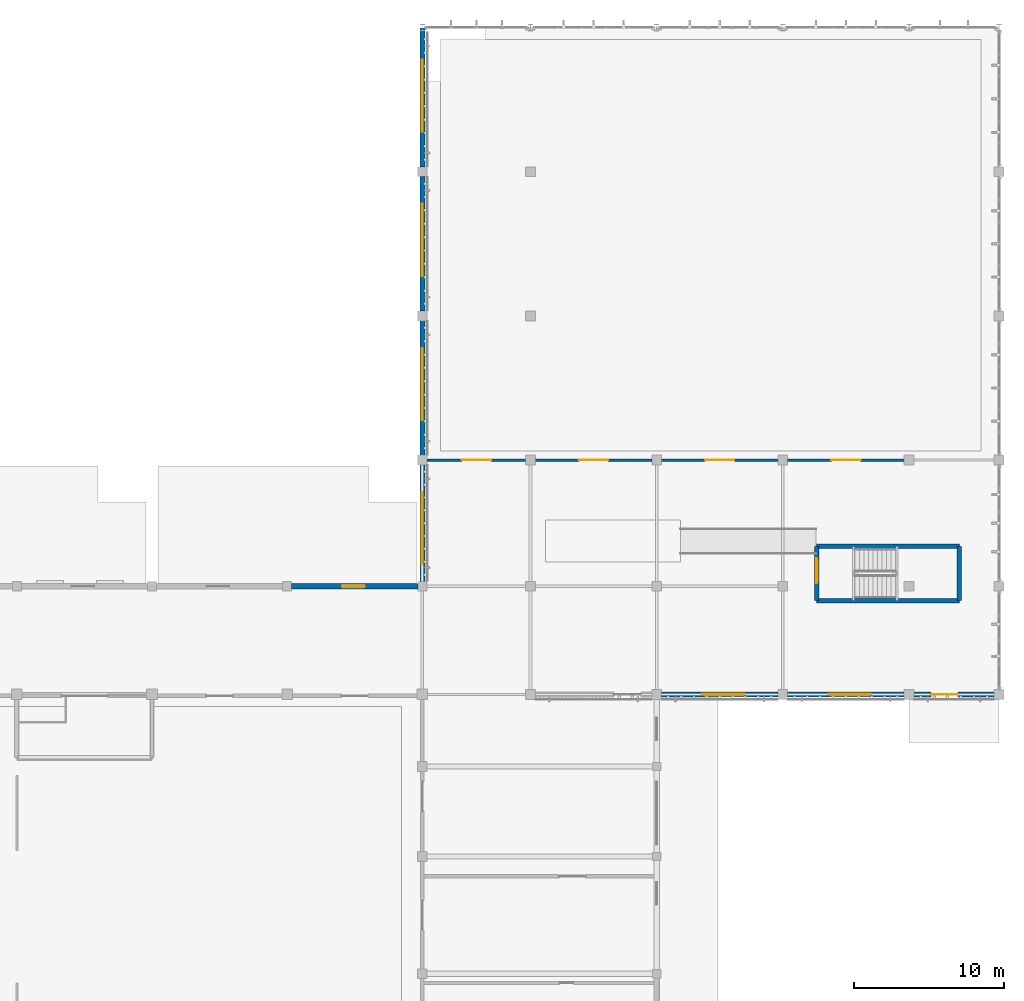
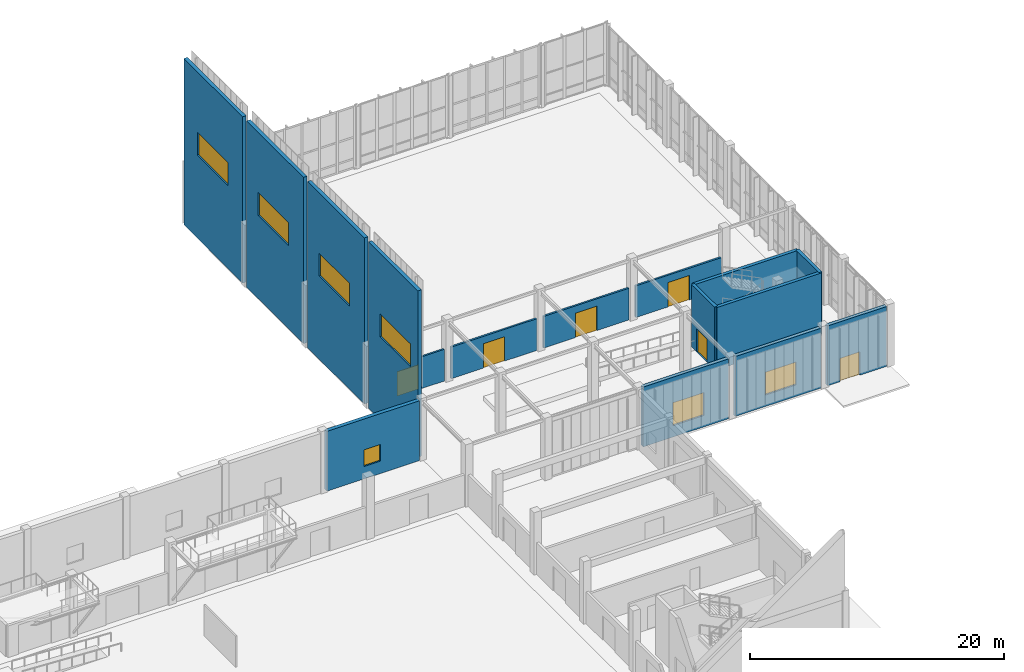
# One storey, part 83 of 110: 16 walls, 7 windows, 6 doors, 13 openings.
"""IFC4 building model written with IfcOpenShell, lengths in metres."""

import ifcopenshell
import ifcopenshell.guid

model = None  # the IFC model being written
_history = None  # IfcOwnerHistory: only IFC2X3 demands one
_inside = {}  # id of a spatial element -> (the spatial element, [elements in it])
_under = {}  # id of a project, library or spatial element -> (it, [spatial elements below it])
_declared = {}  # id of a project -> (the project, [libraries it declares])
_typed = {}  # id of a type object -> (the type object, [elements of that type])
_made_of = {}  # id of a material, layer set ... -> (it, [elements and type objects made of it])


def new_model(schema):
    """Start an empty IFC model of exactly this schema.

    Asked for "IFC4X3", IfcOpenShell would pick the latest addendum, in which some entities
    have other attributes; the version numbers below select the first issue.
    IFC2X3 requires an IfcOwnerHistory on every rooted entity: one is made here for all.
    """
    global model, _history
    if schema == "IFC4X3":
        model = ifcopenshell.file(schema_version=(4, 3, 0, 0))
    else:
        model = ifcopenshell.file(schema=schema)
    _inside.clear()
    _under.clear()
    _declared.clear()
    _typed.clear()
    _made_of.clear()
    _history = None
    if model.schema == "IFC2X3":
        org = make("IfcOrganization", Name="unknown")
        user = make(
            "IfcPersonAndOrganization",
            ThePerson=make("IfcPerson", FamilyName="unknown"),
            TheOrganization=org,
        )
        app = make(
            "IfcApplication",
            ApplicationDeveloper=org,
            Version="unknown",
            ApplicationFullName="unknown",
            ApplicationIdentifier="unknown",
        )
        _history = make(
            "IfcOwnerHistory",
            OwningUser=user,
            OwningApplication=app,
            ChangeAction="ADDED",
            CreationDate=0,
        )
    return model


def make(cls, **values):
    """One entity of the class cls with the attributes given. An attribute that is None is left unset."""
    return model.create_entity(
        cls, **{name: value for name, value in values.items() if value is not None}
    )


def rooted(cls, **values):
    """An entity with a GlobalId (a new one), such as an element, a storey or a relation."""
    return make(cls, GlobalId=ifcopenshell.guid.new(), OwnerHistory=_history, **values)


def si_unit(unit_type, name, prefix=None):
    """IfcSIUnit, for example si_unit("LENGTHUNIT", "METRE", prefix="MILLI")."""
    return make("IfcSIUnit", UnitType=unit_type, Prefix=prefix, Name=name)


def assignment(units):
    """IfcUnitAssignment: the units of a project."""
    return None if units is None else make("IfcUnitAssignment", Units=units)


def point(xyz):
    """IfcCartesianPoint."""
    return None if xyz is None else make("IfcCartesianPoint", Coordinates=xyz)


def direction(xyz):
    """IfcDirection."""
    return None if xyz is None else make("IfcDirection", DirectionRatios=xyz)


def frame(location, z_axis=None, x_axis=None):
    """IfcAxis2Placement3D, a coordinate frame: its origin and axes. An axis left out is left unset."""
    return make(
        "IfcAxis2Placement3D",
        Location=point(location),
        Axis=direction(z_axis),
        RefDirection=direction(x_axis),
    )


def frame_2d(location, x_axis=None):
    """IfcAxis2Placement2D, a coordinate frame in the plane: its origin and x axis."""
    return make(
        "IfcAxis2Placement2D", Location=point(location), RefDirection=direction(x_axis)
    )


def origin():
    """The frame at (0, 0, 0) with its axes left unset."""
    return frame((0.0, 0.0, 0.0))


def place(relative_to, where):
    """IfcLocalPlacement: puts the frame where relative to a parent placement (None: the world)."""
    return make(
        "IfcLocalPlacement", PlacementRelTo=relative_to, RelativePlacement=where
    )


def context(
    kind, dimensions, precision=None, world=None, true_north=None, identifier=None
):
    """IfcGeometricRepresentationContext, for example the 3D "Model" context."""
    return make(
        "IfcGeometricRepresentationContext",
        ContextIdentifier=identifier,
        ContextType=kind,
        CoordinateSpaceDimension=dimensions,
        Precision=precision,
        WorldCoordinateSystem=world,
        TrueNorth=true_north,
    )


def subcontext(parent, identifier, kind, view, scale=None):
    """IfcGeometricRepresentationSubContext, for example "Body" below "Model"."""
    return make(
        "IfcGeometricRepresentationSubContext",
        ContextIdentifier=identifier,
        ContextType=kind,
        ParentContext=parent,
        TargetScale=scale,
        TargetView=view,
    )


def project(units=None, contexts=None):
    """IfcProject with its units and contexts."""
    return rooted(
        "IfcProject",
        Name="project",
        RepresentationContexts=contexts,
        UnitsInContext=assignment(units),
    )


def spatial(cls, under=None, at=None, **own):
    """A site, building, storey or space (cls), placed at a placement, below another one or the project."""
    s = rooted(cls, ObjectPlacement=at, **own)
    if under is not None:
        _under.setdefault(under.id(), (under, []))[1].append(s)
    return s


def profile(cls, at=None, kind="AREA", **sizes):
    """A parametric profile (cls). Its sizes go by their IFC names, for example OverallWidth=200.0."""
    return make(cls, ProfileType=kind, Position=at, **sizes)


def rectangle(**sizes):
    """IfcRectangleProfileDef."""
    return profile("IfcRectangleProfileDef", **sizes)


def extrude(swept, where, along, depth):
    """IfcExtrudedAreaSolid: the profile swept, set in the frame where, extruded along a direction by depth."""
    return make(
        "IfcExtrudedAreaSolid",
        SweptArea=swept,
        Position=where,
        ExtrudedDirection=direction(along),
        Depth=depth,
    )


def shape(context_of_items, identifier, shape_type, items):
    """IfcShapeRepresentation: the items that make up one representation, for example the "Body"."""
    return make(
        "IfcShapeRepresentation",
        ContextOfItems=context_of_items,
        RepresentationIdentifier=identifier,
        RepresentationType=shape_type,
        Items=items,
    )


def material(Name=None, Category=None):
    """IfcMaterial."""
    return make("IfcMaterial", Name=Name, Category=Category)


def layer(
    of_material, thickness, ventilated=None, Name=None, Category=None, Priority=None
):
    """IfcMaterialLayer: one layer of a wall or slab, of a material (None: an air gap)."""
    return make(
        "IfcMaterialLayer",
        Material=of_material,
        LayerThickness=thickness,
        IsVentilated=ventilated,
        Name=Name,
        Category=Category,
        Priority=Priority,
    )


def layer_set(layers, Name=None):
    """IfcMaterialLayerSet."""
    return make("IfcMaterialLayerSet", MaterialLayers=layers, LayerSetName=Name)


def made_of(thing, what):
    """Note that an element or type object is made of a material, layer set ...; save() writes the relation."""
    if what is not None:
        _made_of.setdefault(what.id(), (what, []))[1].append(thing)
    return thing


def type_object(cls, material=None, **own):
    """A type object (cls), such as IfcWallType, which elements share."""
    return made_of(rooted(cls, **own), material)


def element(
    cls,
    number,
    at=None,
    inside=None,
    cuts=None,
    type_object=None,
    material=None,
    context=None,
    identifier="Body",
    shape_type=None,
    held_by="IfcProductDefinitionShape",
    body=None,
    shapes=None,
    **own,
):
    """One element of the class cls, such as IfcWall. Its Tag is "e" and its number.

    at: its placement. inside: the storey or other place that contains it. cuts: it is an
    opening in that element (IfcRelVoidsElement). A single representation is given by context,
    identifier, shape_type and body (its items); several are given by shapes. held_by: the class
    of the entity that holds the representations. save() writes the other relations.
    """
    e = rooted(cls, Tag="e%d" % number, ObjectPlacement=at, **own)
    if body is not None:
        shapes = [shape(context, identifier, shape_type, body)]
    if shapes is not None:
        e.Representation = make(held_by, Representations=shapes)
    if inside is not None:
        _inside.setdefault(inside.id(), (inside, []))[1].append(e)
    if cuts is not None:
        rooted(
            "IfcRelVoidsElement", RelatingBuildingElement=cuts, RelatedOpeningElement=e
        )
    if type_object is not None:
        _typed.setdefault(type_object.id(), (type_object, []))[1].append(e)
    return made_of(e, material)


def fill(opening, filler):
    """IfcRelFillsElement: the door or window that sits in an opening."""
    return rooted(
        "IfcRelFillsElement",
        RelatingOpeningElement=opening,
        RelatedBuildingElement=filler,
    )


def aggregate(whole, parts):
    """IfcRelAggregates: a whole, such as a stair, and the parts it consists of."""
    return rooted("IfcRelAggregates", RelatingObject=whole, RelatedObjects=parts)


def save(model, path):
    """Write the relations noted so far, then the file.

    IfcRelAggregates (storeys below a building ...), IfcRelContainedInSpatialStructure (elements
    in a storey), IfcRelDefinesByType, IfcRelAssociatesMaterial and IfcRelDeclares: one each for
    every whole, place, type object, material and project.
    """
    for whole, parts in _under.values():
        aggregate(whole, parts)
    for where, things in _inside.values():
        rooted(
            "IfcRelContainedInSpatialStructure",
            RelatedElements=things,
            RelatingStructure=where,
        )
    for kind, things in _typed.values():
        rooted("IfcRelDefinesByType", RelatedObjects=things, RelatingType=kind)
    for what, things in _made_of.values():
        rooted("IfcRelAssociatesMaterial", RelatedObjects=things, RelatingMaterial=what)
    for by, libraries in _declared.values():
        rooted("IfcRelDeclares", RelatingContext=by, RelatedDefinitions=libraries)
    model.write(path)


model = new_model("IFC4")

# Units and contexts
model_context = context("Model", 3, precision=1e-05, world=origin(), true_north=direction((0.0, 1.0)))
body_context = subcontext(model_context, "Body", "Model", "MODEL_VIEW")
ifc_project = project(units=[si_unit("LENGTHUNIT", "METRE"), si_unit("AREAUNIT", "SQUARE_METRE"), si_unit("VOLUMEUNIT", "CUBIC_METRE"), si_unit("PLANEANGLEUNIT", "RADIAN"), si_unit("MASSUNIT", "GRAM", prefix="KILO")], contexts=[model_context])

# Site, building, storey
site_placement = place(None, origin())
site = spatial("IfcSite", under=ifc_project, at=site_placement, CompositionType="ELEMENT")
building_placement = place(site_placement, origin())
building = spatial("IfcBuilding", under=site, at=building_placement, Name="Tizgana Railside Sports Hall", CompositionType="ELEMENT")
storey_placement = place(building_placement, origin())
storey = spatial("IfcBuildingStorey", under=building, at=storey_placement, Name="L00", CompositionType="ELEMENT", Elevation=0.0)

# Walls
ifc_material_1 = material(Name="Concrete C40/50", Category="concrete")
ifc_layer_1 = layer(ifc_material_1, 0.300048828125, Name="Concrete C40/50")
ifc_layer_set_1 = layer_set([ifc_layer_1], Name="Concrete C40/50")
wall_type_1 = type_object("IfcWallType", Name="Core Shear Wall 300", PredefinedType="SHEAR", material=ifc_layer_set_1)
for number, where, z_axis, x_axis, name in (
    (1, (169.550048828125, 79.449951171875, 0.0), (0.0, 0.0, 1.0), (-1.0, 0.0, 0.0), "L00 C9 Shaft Wall S"),
    (2, (160.050048828125, 83.050048828125, 0.0), (0.0, 0.0, 1.0), (1.0, 0.0, 0.0), "L00 C9 Shaft Wall N"),
):
    element("IfcWall", number, at=place(storey_placement, frame(where, z_axis=z_axis, x_axis=x_axis)), inside=storey, type_object=wall_type_1, Name=name, PredefinedType="SHEAR", context=body_context, shape_type="SweptSolid", body=[
        extrude(rectangle(XDim=9.5, YDim=0.300048828125, at=frame_2d((4.75, 0.0))), origin(), (0.0, 0.0, 1.0), 6.0),
    ])

# Wall, opening, door
wall_1_placement = place(storey_placement, frame((160.050048828125, 79.449951171875, 0.0), z_axis=(0.0, 0.0, 1.0), x_axis=(0.0, 1.0, 0.0)))
wall_1 = element("IfcWall", 3, at=wall_1_placement, inside=storey, type_object=wall_type_1, Name="L00 C9 Shaft Wall W", PredefinedType="SHEAR", context=body_context, shape_type="SweptSolid", body=[
    extrude(rectangle(XDim=3.60009765625, YDim=0.300048828125, at=frame_2d((1.800048828125, 0.0))), origin(), (0.0, 0.0, 1.0), 6.0),
])
opening_1_placement = place(wall_1_placement, frame((1.14990234375, 0.0, 0.0)))
opening_1 = element("IfcOpeningElement", 4, at=opening_1_placement, cuts=wall_1, Name="Opening D-0097", PredefinedType="OPENING", context=body_context, shape_type="SweptSolid", body=[
    extrude(rectangle(XDim=1.64990234375, YDim=2.199951171875, at=frame_2d((0.824951171875, 1.10009765625))), frame((0.0, 0.159912109375, 0.0), z_axis=(0.0, -1.0, 0.0), x_axis=(1.0, 0.0, 0.0)), (0.0, 0.0, 1.0), 0.320068359375),
])
ifc_material_2 = material(Name="Timber fire leaf", Category="wood")
door_type_1 = type_object("IfcDoorType", Name="Stair Core Double Fire Door 1650x2200", OperationType="NOTDEFINED", PredefinedType="DOOR", material=ifc_material_2)
door_1_placement = place(opening_1_placement, origin())
door_1 = element("IfcDoor", 5, at=door_1_placement, inside=storey, type_object=door_type_1, Name="L00 Door D-0097", OperationType="DOUBLE_DOOR_SINGLE_SWING", OverallHeight=2.199951171875, OverallWidth=1.64990234375, PredefinedType="DOOR", context=body_context, shape_type="SweptSolid", body=[
    extrude(rectangle(XDim=1.64990234375, YDim=2.199951171875, at=frame_2d((0.824951171875, 1.10009765625))), frame((0.0, 0.02490234375, 0.0), z_axis=(0.0, -1.0, 0.0), x_axis=(1.0, 0.0, 0.0)), (0.0, 0.0, 1.0), 0.050048828125),
])
fill(opening_1, door_1)

# Wall
wall_2_placement = place(storey_placement, frame((169.550048828125, 79.449951171875, 0.0), z_axis=(0.0, 0.0, 1.0), x_axis=(0.0, 1.0, 0.0)))
element("IfcWall", 6, at=wall_2_placement, inside=storey, type_object=wall_type_1, Name="L00 C9 Shaft Wall E", PredefinedType="SHEAR", context=body_context, shape_type="SweptSolid", body=[
    extrude(rectangle(XDim=3.60009765625, YDim=0.300048828125, at=frame_2d((1.800048828125, 0.0))), origin(), (0.0, 0.0, 1.0), 6.0),
])

# Wall, opening, window
ifc_material_3 = material(Name="Concrete C35/45", Category="concrete")
ifc_layer_2 = layer(ifc_material_3, 0.340087890625, Name="Concrete C35/45")
ifc_layer_set_2 = layer_set([ifc_layer_2], Name="Concrete C35/45")
wall_type_2 = type_object("IfcWallType", Name="Exterior Insulated Concrete Wall 340", PredefinedType="STANDARD", material=ifc_layer_set_2)
wall_3_placement = place(storey_placement, frame((125.090087890625, 80.39990234375, 0.0), z_axis=(0.0, 0.0, 1.0), x_axis=(1.0, 0.0, 0.0)))
wall_3 = element("IfcWall", 7, at=wall_3_placement, inside=storey, type_object=wall_type_2, Name="L00 Exterior Wall EWAL-0051", PredefinedType="STANDARD", context=body_context, shape_type="SweptSolid", body=[
    extrude(rectangle(XDim=8.419921875, YDim=0.340087890625, at=frame_2d((4.2099609375, 0.0))), origin(), (0.0, 0.0, 1.0), 5.760009765625),
])
opening_2_placement = place(wall_3_placement, frame((3.360107421875, 0.0, 1.199951171875)))
opening_2 = element("IfcOpeningElement", 8, at=opening_2_placement, cuts=wall_3, Name="Opening W-0039", PredefinedType="OPENING", context=body_context, shape_type="SweptSolid", body=[
    extrude(rectangle(XDim=1.5, YDim=1.60009765625, at=frame_2d((0.75, 0.800048828125))), frame((0.0, 0.179931640625, 0.0), z_axis=(0.0, -1.0, 0.0), x_axis=(1.0, 0.0, 0.0)), (0.0, 0.0, 1.0), 0.360107421875),
])
ifc_material_4 = material(Name="Double low-E laminated glass", Category="glass")
window_type_1 = type_object("IfcWindowType", Name="Referees Suite Window 1500x1600", PartitioningType="SINGLE_PANEL", PredefinedType="WINDOW", material=ifc_material_4)
window_1_placement = place(opening_2_placement, origin())
window_1 = element("IfcWindow", 9, at=window_1_placement, inside=storey, type_object=window_type_1, Name="L00 Window W-0039", OverallHeight=1.60009765625, OverallWidth=1.5, PartitioningType="SINGLE_PANEL", PredefinedType="WINDOW", context=body_context, shape_type="SweptSolid", body=[
    extrude(rectangle(XDim=1.5, YDim=1.60009765625, at=frame_2d((0.75, 0.800048828125))), frame((0.0, 0.030029296875, 0.0), z_axis=(0.0, -1.0, 0.0), x_axis=(1.0, 0.0, 0.0)), (0.0, 0.0, 1.0), 0.06005859375),
])
fill(opening_2, window_1)

ifc_layer_3 = layer(ifc_material_3, 0.330078125, Name="Concrete C35/45")
ifc_layer_set_3 = layer_set([ifc_layer_3], Name="Concrete C35/45")
wall_type_3 = type_object("IfcWallType", Name="Exterior Pavilion Plinth Wall 330", PredefinedType="STANDARD", material=ifc_layer_set_3)
wall_4_placement = place(storey_placement, frame((157.485107421875, 73.199951171875, 0.0), z_axis=(0.0, 0.0, 1.0), x_axis=(-1.0, 0.0, 0.0)))
wall_4 = element("IfcWall", 10, at=wall_4_placement, inside=storey, type_object=wall_type_3, Name="L00 Exterior Wall EWAL-0063", PredefinedType="STANDARD", context=body_context, shape_type="SweptSolid", body=[
    extrude(rectangle(XDim=7.77001953125, YDim=0.330078125, at=frame_2d((3.885009765625, 0.0))), origin(), (0.0, 0.0, 1.0), 5.760009765625),
])
opening_3_placement = place(wall_4_placement, frame((2.235107421875, 0.0, 1.10009765625)))
opening_3 = element("IfcOpeningElement", 11, at=opening_3_placement, cuts=wall_4, Name="Opening W-0043", PredefinedType="OPENING", context=body_context, shape_type="SweptSolid", body=[
    extrude(rectangle(XDim=2.800048828125, YDim=2.199951171875, at=frame_2d((1.39990234375, 1.10009765625))), frame((0.0, 0.175048828125, 0.0), z_axis=(0.0, -1.0, 0.0), x_axis=(1.0, 0.0, 0.0)), (0.0, 0.0, 1.0), 0.35009765625),
])
window_type_2 = type_object("IfcWindowType", Name="Community Room Window 2800x2200", PartitioningType="SINGLE_PANEL", PredefinedType="WINDOW", material=ifc_material_4)
window_2_placement = place(opening_3_placement, origin())
window_2 = element("IfcWindow", 12, at=window_2_placement, inside=storey, type_object=window_type_2, Name="L00 Window W-0043", OverallHeight=2.199951171875, OverallWidth=2.800048828125, PartitioningType="SINGLE_PANEL", PredefinedType="WINDOW", context=body_context, shape_type="SweptSolid", body=[
    extrude(rectangle(XDim=2.800048828125, YDim=2.199951171875, at=frame_2d((1.39990234375, 1.10009765625))), frame((0.0, 0.030029296875, 0.0), z_axis=(0.0, -1.0, 0.0), x_axis=(1.0, 0.0, 0.0)), (0.0, 0.0, 1.0), 0.06005859375),
])
fill(opening_3, window_2)

wall_5_placement = place(storey_placement, frame((165.885009765625, 73.199951171875, 0.0), z_axis=(0.0, 0.0, 1.0), x_axis=(-1.0, 0.0, 0.0)))
wall_5 = element("IfcWall", 13, at=wall_5_placement, inside=storey, type_object=wall_type_3, Name="L00 Exterior Wall EWAL-0064", PredefinedType="STANDARD", context=body_context, shape_type="SweptSolid", body=[
    extrude(rectangle(XDim=7.77001953125, YDim=0.330078125, at=frame_2d((3.885009765625, 0.0))), origin(), (0.0, 0.0, 1.0), 5.760009765625),
])
opening_4_placement = place(wall_5_placement, frame((2.235107421875, 0.0, 1.10009765625)))
opening_4 = element("IfcOpeningElement", 14, at=opening_4_placement, cuts=wall_5, Name="Opening W-0044", PredefinedType="OPENING", context=body_context, shape_type="SweptSolid", body=[
    extrude(rectangle(XDim=2.800048828125, YDim=2.199951171875, at=frame_2d((1.39990234375, 1.10009765625))), frame((0.0, 0.175048828125, 0.0), z_axis=(0.0, -1.0, 0.0), x_axis=(1.0, 0.0, 0.0)), (0.0, 0.0, 1.0), 0.35009765625),
])
window_3_placement = place(opening_4_placement, origin())
window_3 = element("IfcWindow", 15, at=window_3_placement, inside=storey, type_object=window_type_2, Name="L00 Window W-0044", OverallHeight=2.199951171875, OverallWidth=2.800048828125, PartitioningType="SINGLE_PANEL", PredefinedType="WINDOW", context=body_context, shape_type="SweptSolid", body=[
    extrude(rectangle(XDim=2.800048828125, YDim=2.199951171875, at=frame_2d((1.39990234375, 1.10009765625))), frame((0.0, 0.030029296875, 0.0), z_axis=(0.0, -1.0, 0.0), x_axis=(1.0, 0.0, 0.0)), (0.0, 0.0, 1.0), 0.06005859375),
])
fill(opening_4, window_3)

# Wall, opening, door
wall_6_placement = place(storey_placement, frame((171.885009765625, 73.199951171875, 0.0), z_axis=(0.0, 0.0, 1.0), x_axis=(-1.0, 0.0, 0.0)))
wall_6 = element("IfcWall", 16, at=wall_6_placement, inside=storey, type_object=wall_type_3, Name="L00 Exterior Wall EWAL-0065", PredefinedType="STANDARD", context=body_context, shape_type="SweptSolid", body=[
    extrude(rectangle(XDim=5.3701171875, YDim=0.330078125, at=frame_2d((2.68505859375, 0.0))), origin(), (0.0, 0.0, 1.0), 5.760009765625),
])
opening_5_placement = place(wall_6_placement, frame((2.43505859375, 0.0, 0.0)))
opening_5 = element("IfcOpeningElement", 17, at=opening_5_placement, cuts=wall_6, Name="Opening D-0022", PredefinedType="OPENING", context=body_context, shape_type="SweptSolid", body=[
    extrude(rectangle(XDim=1.800048828125, YDim=2.25, at=frame_2d((0.89990234375, 1.125))), frame((0.0, 0.175048828125, 0.0), z_axis=(0.0, -1.0, 0.0), x_axis=(1.0, 0.0, 0.0)), (0.0, 0.0, 1.0), 0.35009765625),
])
ifc_material_5 = material(Name="Galvanised steel sheet", Category="steel")
door_type_2 = type_object("IfcDoorType", Name="Protected Stair Final Exit Door 1800x2250", OperationType="NOTDEFINED", PredefinedType="DOOR", material=ifc_material_5)
door_2_placement = place(opening_5_placement, origin())
door_2 = element("IfcDoor", 18, at=door_2_placement, inside=storey, type_object=door_type_2, Name="L00 Door D-0022", OperationType="DOUBLE_DOOR_SINGLE_SWING", OverallHeight=2.25, OverallWidth=1.800048828125, PredefinedType="DOOR", context=body_context, shape_type="SweptSolid", body=[
    extrude(rectangle(XDim=1.800048828125, YDim=2.25, at=frame_2d((0.89990234375, 1.125))), frame((0.0, 0.02490234375, 0.0), z_axis=(0.0, -1.0, 0.0), x_axis=(1.0, 0.0, 0.0)), (0.0, 0.0, 1.0), 0.050048828125),
])
fill(opening_5, door_2)

# Wall, opening, window
wall_7_placement = place(storey_placement, frame((133.800048828125, 88.485107421875, 0.0), z_axis=(0.0, 0.0, 1.0), x_axis=(0.0, -1.0, 0.0)))
wall_7 = element("IfcWall", 19, at=wall_7_placement, inside=storey, type_object=wall_type_3, Name="L00 Exterior Wall EWAL-0066", PredefinedType="STANDARD", context=body_context, shape_type="SweptSolid", body=[
    extrude(rectangle(XDim=7.795166015625, YDim=0.330078125, at=frame_2d((3.8974609375, 0.0))), origin(), (0.0, 0.0, 1.0), 16.0),
])
opening_6_placement = place(wall_7_placement, frame((1.8349609375, 0.0, 8.0)))
opening_6 = element("IfcOpeningElement", 20, at=opening_6_placement, cuts=wall_7, Name="Opening W-0045", PredefinedType="OPENING", context=body_context, shape_type="SweptSolid", body=[
    extrude(rectangle(XDim=4.800048828125, YDim=2.199951171875, at=frame_2d((2.39990234375, 1.10009765625))), frame((0.0, 0.175048828125, 0.0), z_axis=(0.0, -1.0, 0.0), x_axis=(1.0, 0.0, 0.0)), (0.0, 0.0, 1.0), 0.35009765625),
])
window_type_3 = type_object("IfcWindowType", Name="Climbing North Ribbon Window 4800x2200", PartitioningType="SINGLE_PANEL", PredefinedType="WINDOW", material=ifc_material_4)
window_4_placement = place(opening_6_placement, origin())
window_4 = element("IfcWindow", 21, at=window_4_placement, inside=storey, type_object=window_type_3, Name="L00 Window W-0045", OverallHeight=2.199951171875, OverallWidth=4.800048828125, PartitioningType="SINGLE_PANEL", PredefinedType="WINDOW", context=body_context, shape_type="SweptSolid", body=[
    extrude(rectangle(XDim=4.800048828125, YDim=2.199951171875, at=frame_2d((2.39990234375, 1.10009765625))), frame((0.0, 0.030029296875, 0.0), z_axis=(0.0, -1.0, 0.0), x_axis=(1.0, 0.0, 0.0)), (0.0, 0.0, 1.0), 0.06005859375),
])
fill(opening_6, window_4)

wall_8_placement = place(storey_placement, frame((133.800048828125, 98.0849609375, 0.0), z_axis=(0.0, 0.0, 1.0), x_axis=(0.0, -1.0, 0.0)))
wall_8 = element("IfcWall", 22, at=wall_8_placement, inside=storey, type_object=wall_type_3, Name="L00 Exterior Wall EWAL-0067", PredefinedType="STANDARD", context=body_context, shape_type="SweptSolid", body=[
    extrude(rectangle(XDim=8.969970703125, YDim=0.330078125, at=frame_2d((4.48486328125, 0.0))), origin(), (0.0, 0.0, 1.0), 16.0),
])
opening_7_placement = place(wall_8_placement, frame((1.8349609375, 0.0, 8.0)))
opening_7 = element("IfcOpeningElement", 23, at=opening_7_placement, cuts=wall_8, Name="Opening W-0046", PredefinedType="OPENING", context=body_context, shape_type="SweptSolid", body=[
    extrude(rectangle(XDim=4.800048828125, YDim=2.199951171875, at=frame_2d((2.39990234375, 1.10009765625))), frame((0.0, 0.175048828125, 0.0), z_axis=(0.0, -1.0, 0.0), x_axis=(1.0, 0.0, 0.0)), (0.0, 0.0, 1.0), 0.35009765625),
])
window_5_placement = place(opening_7_placement, origin())
window_5 = element("IfcWindow", 24, at=window_5_placement, inside=storey, type_object=window_type_3, Name="L00 Window W-0046", OverallHeight=2.199951171875, OverallWidth=4.800048828125, PartitioningType="SINGLE_PANEL", PredefinedType="WINDOW", context=body_context, shape_type="SweptSolid", body=[
    extrude(rectangle(XDim=4.800048828125, YDim=2.199951171875, at=frame_2d((2.39990234375, 1.10009765625))), frame((0.0, 0.030029296875, 0.0), z_axis=(0.0, -1.0, 0.0), x_axis=(1.0, 0.0, 0.0)), (0.0, 0.0, 1.0), 0.06005859375),
])
fill(opening_7, window_5)

wall_9_placement = place(storey_placement, frame((133.800048828125, 107.68505859375, 0.0), z_axis=(0.0, 0.0, 1.0), x_axis=(0.0, -1.0, 0.0)))
wall_9 = element("IfcWall", 25, at=wall_9_placement, inside=storey, type_object=wall_type_3, Name="L00 Exterior Wall EWAL-0068", PredefinedType="STANDARD", context=body_context, shape_type="SweptSolid", body=[
    extrude(rectangle(XDim=8.969970703125, YDim=0.330078125, at=frame_2d((4.48486328125, 0.0))), origin(), (0.0, 0.0, 1.0), 16.0),
])
opening_8_placement = place(wall_9_placement, frame((1.8349609375, 0.0, 8.0)))
opening_8 = element("IfcOpeningElement", 26, at=opening_8_placement, cuts=wall_9, Name="Opening W-0047", PredefinedType="OPENING", context=body_context, shape_type="SweptSolid", body=[
    extrude(rectangle(XDim=4.800048828125, YDim=2.199951171875, at=frame_2d((2.39990234375, 1.10009765625))), frame((0.0, 0.175048828125, 0.0), z_axis=(0.0, -1.0, 0.0), x_axis=(1.0, 0.0, 0.0)), (0.0, 0.0, 1.0), 0.35009765625),
])
window_6_placement = place(opening_8_placement, origin())
window_6 = element("IfcWindow", 27, at=window_6_placement, inside=storey, type_object=window_type_3, Name="L00 Window W-0047", OverallHeight=2.199951171875, OverallWidth=4.800048828125, PartitioningType="SINGLE_PANEL", PredefinedType="WINDOW", context=body_context, shape_type="SweptSolid", body=[
    extrude(rectangle(XDim=4.800048828125, YDim=2.199951171875, at=frame_2d((2.39990234375, 1.10009765625))), frame((0.0, 0.030029296875, 0.0), z_axis=(0.0, -1.0, 0.0), x_axis=(1.0, 0.0, 0.0)), (0.0, 0.0, 1.0), 0.06005859375),
])
fill(opening_8, window_6)

wall_10_placement = place(storey_placement, frame((133.800048828125, 117.572509765625, 0.0), z_axis=(0.0, 0.0, 1.0), x_axis=(0.0, -1.0, 0.0)))
wall_10 = element("IfcWall", 28, at=wall_10_placement, inside=storey, type_object=wall_type_3, Name="L00 Exterior Wall EWAL-0069", PredefinedType="STANDARD", context=body_context, shape_type="SweptSolid", body=[
    extrude(rectangle(XDim=9.257568359375, YDim=0.330078125, at=frame_2d((4.62890625, 0.0))), origin(), (0.0, 0.0, 1.0), 16.0),
])
opening_9_placement = place(wall_10_placement, frame((2.12255859375, 0.0, 8.0)))
opening_9 = element("IfcOpeningElement", 29, at=opening_9_placement, cuts=wall_10, Name="Opening W-0048", PredefinedType="OPENING", context=body_context, shape_type="SweptSolid", body=[
    extrude(rectangle(XDim=4.800048828125, YDim=2.199951171875, at=frame_2d((2.39990234375, 1.10009765625))), frame((0.0, 0.175048828125, 0.0), z_axis=(0.0, -1.0, 0.0), x_axis=(1.0, 0.0, 0.0)), (0.0, 0.0, 1.0), 0.35009765625),
])
window_7_placement = place(opening_9_placement, origin())
window_7 = element("IfcWindow", 30, at=window_7_placement, inside=storey, type_object=window_type_3, Name="L00 Window W-0048", OverallHeight=2.199951171875, OverallWidth=4.800048828125, PartitioningType="SINGLE_PANEL", PredefinedType="WINDOW", context=body_context, shape_type="SweptSolid", body=[
    extrude(rectangle(XDim=4.800048828125, YDim=2.199951171875, at=frame_2d((2.39990234375, 1.10009765625))), frame((0.0, 0.030029296875, 0.0), z_axis=(0.0, -1.0, 0.0), x_axis=(1.0, 0.0, 0.0)), (0.0, 0.0, 1.0), 0.06005859375),
])
fill(opening_9, window_7)

# Wall, opening, door
ifc_material_6 = material(Name="Acoustic gypsum stud")
ifc_layer_4 = layer(ifc_material_6, 0.169921875, Name="Acoustic gypsum stud")
ifc_layer_set_4 = layer_set([ifc_layer_4], Name="Acoustic gypsum stud")
wall_type_4 = type_object("IfcWallType", Name="Studio Acoustic Partition 170", PredefinedType="STANDARD", material=ifc_layer_set_4)
wall_11_placement = place(storey_placement, frame((134.10009765625, 88.800048828125, 0.0), z_axis=(0.0, 0.0, 1.0), x_axis=(1.0, 0.0, 0.0)))
wall_11 = element("IfcWall", 31, at=wall_11_placement, inside=storey, type_object=wall_type_4, Name="L00 Partition PWAL-0284", PredefinedType="STANDARD", context=body_context, shape_type="SweptSolid", body=[
    extrude(rectangle(XDim=6.599853515625, YDim=0.169921875, at=frame_2d((3.2998046875, 0.0))), origin(), (0.0, 0.0, 1.0), 3.050048828125),
])
opening_10_placement = place(wall_11_placement, frame((2.324951171875, 0.0, 0.0)))
opening_10 = element("IfcOpeningElement", 32, at=opening_10_placement, cuts=wall_11, Name="Opening D-0272", PredefinedType="OPENING", context=body_context, shape_type="SweptSolid", body=[
    extrude(rectangle(XDim=1.949951171875, YDim=2.35009765625, at=frame_2d((0.97509765625, 1.175048828125))), frame((0.0, 0.094970703125, 0.0), z_axis=(0.0, -1.0, 0.0), x_axis=(1.0, 0.0, 0.0)), (0.0, 0.0, 1.0), 0.18994140625),
])
ifc_material_7 = material(Name="Solid beech timber", Category="wood")
door_type_3 = type_object("IfcDoorType", Name="Court Player Double Entry Door 1950x2350", OperationType="NOTDEFINED", PredefinedType="DOOR", material=ifc_material_7)
door_3_placement = place(opening_10_placement, origin())
door_3 = element("IfcDoor", 33, at=door_3_placement, inside=storey, type_object=door_type_3, Name="L00 Door D-0272", OperationType="DOUBLE_DOOR_SINGLE_SWING", OverallHeight=2.35009765625, OverallWidth=1.949951171875, PredefinedType="DOOR", context=body_context, shape_type="SweptSolid", body=[
    extrude(rectangle(XDim=1.949951171875, YDim=2.35009765625, at=frame_2d((0.97509765625, 1.175048828125))), frame((0.0, 0.02490234375, 0.0), z_axis=(0.0, -1.0, 0.0), x_axis=(1.0, 0.0, 0.0)), (0.0, 0.0, 1.0), 0.050048828125),
])
fill(opening_10, door_3)

wall_12_placement = place(storey_placement, frame((141.300048828125, 88.800048828125, 0.0), z_axis=(0.0, 0.0, 1.0), x_axis=(1.0, 0.0, 0.0)))
wall_12 = element("IfcWall", 34, at=wall_12_placement, inside=storey, type_object=wall_type_4, Name="L00 Partition PWAL-0286", PredefinedType="STANDARD", context=body_context, shape_type="SweptSolid", body=[
    extrude(rectangle(XDim=7.800048828125, YDim=0.169921875, at=frame_2d((3.89990234375, 0.0))), origin(), (0.0, 0.0, 1.0), 3.050048828125),
])
opening_11_placement = place(wall_12_placement, frame((2.925048828125, 0.0, 0.0)))
opening_11 = element("IfcOpeningElement", 35, at=opening_11_placement, cuts=wall_12, Name="Opening D-0273", PredefinedType="OPENING", context=body_context, shape_type="SweptSolid", body=[
    extrude(rectangle(XDim=1.949951171875, YDim=2.35009765625, at=frame_2d((0.97509765625, 1.175048828125))), frame((0.0, 0.094970703125, 0.0), z_axis=(0.0, -1.0, 0.0), x_axis=(1.0, 0.0, 0.0)), (0.0, 0.0, 1.0), 0.18994140625),
])
door_4_placement = place(opening_11_placement, origin())
door_4 = element("IfcDoor", 36, at=door_4_placement, inside=storey, type_object=door_type_3, Name="L00 Door D-0273", OperationType="DOUBLE_DOOR_SINGLE_SWING", OverallHeight=2.35009765625, OverallWidth=1.949951171875, PredefinedType="DOOR", context=body_context, shape_type="SweptSolid", body=[
    extrude(rectangle(XDim=1.949951171875, YDim=2.35009765625, at=frame_2d((0.97509765625, 1.175048828125))), frame((0.0, 0.02490234375, 0.0), z_axis=(0.0, -1.0, 0.0), x_axis=(1.0, 0.0, 0.0)), (0.0, 0.0, 1.0), 0.050048828125),
])
fill(opening_11, door_4)

wall_13_placement = place(storey_placement, frame((149.699951171875, 88.800048828125, 0.0), z_axis=(0.0, 0.0, 1.0), x_axis=(1.0, 0.0, 0.0)))
wall_13 = element("IfcWall", 37, at=wall_13_placement, inside=storey, type_object=wall_type_4, Name="L00 Partition PWAL-0288", PredefinedType="STANDARD", context=body_context, shape_type="SweptSolid", body=[
    extrude(rectangle(XDim=7.800048828125, YDim=0.169921875, at=frame_2d((3.89990234375, 0.0))), origin(), (0.0, 0.0, 1.0), 3.050048828125),
])
opening_12_placement = place(wall_13_placement, frame((2.925048828125, 0.0, 0.0)))
opening_12 = element("IfcOpeningElement", 38, at=opening_12_placement, cuts=wall_13, Name="Opening D-0274", PredefinedType="OPENING", context=body_context, shape_type="SweptSolid", body=[
    extrude(rectangle(XDim=1.949951171875, YDim=2.35009765625, at=frame_2d((0.97509765625, 1.175048828125))), frame((0.0, 0.094970703125, 0.0), z_axis=(0.0, -1.0, 0.0), x_axis=(1.0, 0.0, 0.0)), (0.0, 0.0, 1.0), 0.18994140625),
])
door_5_placement = place(opening_12_placement, origin())
door_5 = element("IfcDoor", 39, at=door_5_placement, inside=storey, type_object=door_type_3, Name="L00 Door D-0274", OperationType="DOUBLE_DOOR_SINGLE_SWING", OverallHeight=2.35009765625, OverallWidth=1.949951171875, PredefinedType="DOOR", context=body_context, shape_type="SweptSolid", body=[
    extrude(rectangle(XDim=1.949951171875, YDim=2.35009765625, at=frame_2d((0.97509765625, 1.175048828125))), frame((0.0, 0.02490234375, 0.0), z_axis=(0.0, -1.0, 0.0), x_axis=(1.0, 0.0, 0.0)), (0.0, 0.0, 1.0), 0.050048828125),
])
fill(opening_12, door_5)

wall_14_placement = place(storey_placement, frame((158.10009765625, 88.800048828125, 0.0), z_axis=(0.0, 0.0, 1.0), x_axis=(1.0, 0.0, 0.0)))
wall_14 = element("IfcWall", 40, at=wall_14_placement, inside=storey, type_object=wall_type_4, Name="L00 Partition PWAL-0290", PredefinedType="STANDARD", context=body_context, shape_type="SweptSolid", body=[
    extrude(rectangle(XDim=7.7998046875, YDim=0.169921875, at=frame_2d((3.89990234375, 0.0))), origin(), (0.0, 0.0, 1.0), 3.050048828125),
])
opening_13_placement = place(wall_14_placement, frame((2.925048828125, 0.0, 0.0)))
opening_13 = element("IfcOpeningElement", 41, at=opening_13_placement, cuts=wall_14, Name="Opening D-0275", PredefinedType="OPENING", context=body_context, shape_type="SweptSolid", body=[
    extrude(rectangle(XDim=1.949951171875, YDim=2.35009765625, at=frame_2d((0.97509765625, 1.175048828125))), frame((0.0, 0.094970703125, 0.0), z_axis=(0.0, -1.0, 0.0), x_axis=(1.0, 0.0, 0.0)), (0.0, 0.0, 1.0), 0.18994140625),
])
door_6_placement = place(opening_13_placement, origin())
door_6 = element("IfcDoor", 42, at=door_6_placement, inside=storey, type_object=door_type_3, Name="L00 Door D-0275", OperationType="DOUBLE_DOOR_SINGLE_SWING", OverallHeight=2.35009765625, OverallWidth=1.949951171875, PredefinedType="DOOR", context=body_context, shape_type="SweptSolid", body=[
    extrude(rectangle(XDim=1.949951171875, YDim=2.35009765625, at=frame_2d((0.97509765625, 1.175048828125))), frame((0.0, 0.02490234375, 0.0), z_axis=(0.0, -1.0, 0.0), x_axis=(1.0, 0.0, 0.0)), (0.0, 0.0, 1.0), 0.050048828125),
])
fill(opening_13, door_6)

save(model, "model.ifc")
